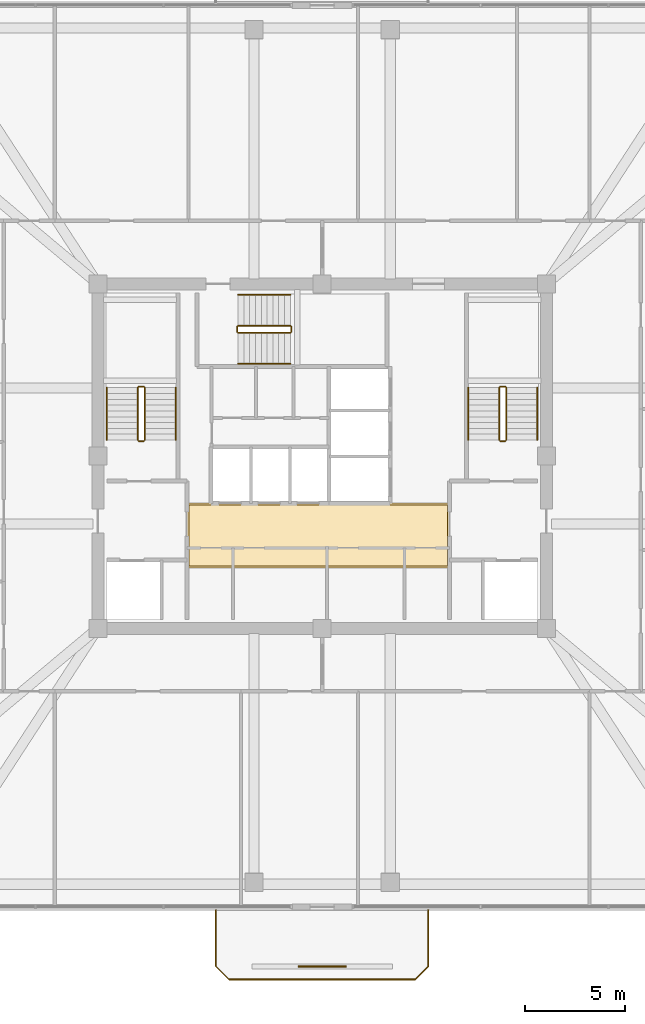
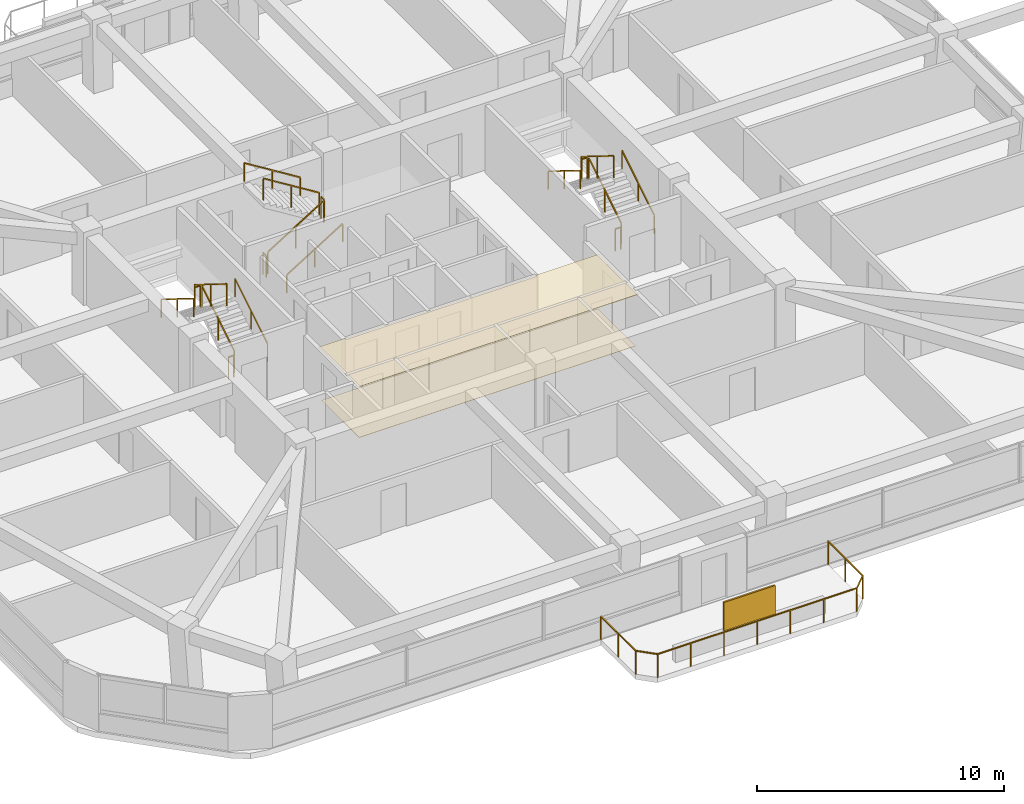
# One storey, part 12 of 13: 19 railings, 2 coverings, 1 shading device.
"""IFC4 building model written with IfcOpenShell, lengths in metres."""

from ifc_helpers import new_model, si_unit, derived_unit, direction, frame, origin, origin_2d, place, context, subcontext, project, spatial, polyline, rectangle, outline, extrude, material, layer, layer_set, type_object, element, save


model = new_model("IFC4")

# Units and contexts
model_context = context("Model", 3, precision=1e-05, world=origin(), true_north=direction((0.0, 1.0)))
body_context = subcontext(model_context, "Body", "Model", "MODEL_VIEW")
ifc_project = project(units=[si_unit("LENGTHUNIT", "METRE"), si_unit("AREAUNIT", "SQUARE_METRE"), si_unit("VOLUMEUNIT", "CUBIC_METRE"), si_unit("PLANEANGLEUNIT", "RADIAN"), si_unit("MASSUNIT", "GRAM", prefix="KILO"), derived_unit("THERMALTRANSMITTANCEUNIT", [(si_unit("POWERUNIT", "WATT"), 1), (si_unit("LENGTHUNIT", "METRE"), -2), (si_unit("THERMODYNAMICTEMPERATUREUNIT", "KELVIN"), -1)])], contexts=[model_context])

# Site, building, storey
site_placement = place(None, origin())
site = spatial("IfcSite", under=ifc_project, at=site_placement, CompositionType="ELEMENT")
building_placement = place(site_placement, origin())
building = spatial("IfcBuilding", under=site, at=building_placement, Name="Koralith Skygarden Medical Center", CompositionType="ELEMENT")
storey_placement = place(building_placement, frame((0.0, 0.0, 217.97998046875)))
storey = spatial("IfcBuildingStorey", under=building, at=storey_placement, Name="L56", CompositionType="ELEMENT", Elevation=217.97998046875)

# Covering
ifc_material_1 = material(Name="Acoustic Mineral Tile")
ifc_layer_1 = layer(ifc_material_1, 0.02001953125)
ifc_layer_set_1 = layer_set([ifc_layer_1], Name="Acoustic Mineral Tile")
covering_type_1 = type_object("IfcCoveringType", Name="Acoustic Hygienic Mineral Ceiling 20", PredefinedType="CEILING", material=ifc_layer_set_1)
covering_1_placement = place(storey_placement, frame((0.0, 0.0, 2.5849609375)))
element("IfcCovering", 1, at=covering_1_placement, inside=storey, type_object=covering_type_1, Name="L56 Core Lobby Acoustic Ceiling", PredefinedType="CEILING", context=body_context, shape_type="SweptSolid", body=[
    extrude(outline(polyline([(30.25, 20.320068359375), (43.35009765625, 20.320068359375), (43.35009765625, 23.56005859375), (30.25, 23.56005859375), (30.25, 20.320068359375)])), origin(), (0.0, 0.0, 1.0), 0.02001953125),
])

# Railing
ifc_material_2 = material(Name="Steel ASTM A500 Grade C", Category="steel")
railing_type_1 = type_object("IfcRailingType", Name="Outdoor Terrace & Balcony Safety Guardrail 1180", PredefinedType="GUARDRAIL", material=ifc_material_2)
railing_1_placement = place(storey_placement, frame((31.699951171875, 3.215087890625, 0.0)))
element("IfcRailing", 2, at=railing_1_placement, inside=storey, type_object=railing_type_1, Name="L56 S Balcony Perimeter Guardrail", PredefinedType="GUARDRAIL", context=body_context, shape_type="SweptSolid", body=[
    extrude(rectangle(XDim=0.050048828125, YDim=0.050048828125, at=origin_2d()), frame((0.0, -0.001953125, 1.15478515625), z_axis=(0.0, -1.0, 0.0), x_axis=(1.0, 0.0, 0.0)), (0.0, 0.0, 1.0), 2.796142578125),
    extrude(rectangle(XDim=0.050048828125, YDim=0.050048828125, at=origin_2d()), frame((0.00146484375, -2.801513671875, 1.15478515625), z_axis=(0.707106781187, -0.707106781187, 0.0), x_axis=(0.707106781187, 0.707106781187, 0.0)), (0.0, 0.0, 1.0), 0.91552734375),
    extrude(rectangle(XDim=0.050048828125, YDim=0.050048828125, at=origin_2d()), frame((0.652099609375, -3.4501953125, 1.15478515625), z_axis=(1.0, 0.0, 0.0), x_axis=(0.0, 1.0, 0.0)), (0.0, 0.0, 1.0), 9.2958984375),
    extrude(rectangle(XDim=0.050048828125, YDim=0.050048828125, at=origin_2d()), frame((9.951416015625, -3.44873046875, 1.15478515625), z_axis=(0.707106781187, 0.707106781187, 0.0), x_axis=(-0.707106781187, 0.707106781187, 0.0)), (0.0, 0.0, 1.0), 0.91552734375),
    extrude(rectangle(XDim=0.050048828125, YDim=0.050048828125, at=origin_2d()), frame((10.60009765625, -2.798095703125, 1.15478515625), z_axis=(0.0, 1.0, 0.0), x_axis=(-1.0, 0.0, 0.0)), (0.0, 0.0, 1.0), 2.796142578125),
    extrude(rectangle(XDim=0.0419921875, YDim=0.0419921875, at=origin_2d()), origin(), (0.0, 0.0, 1.0), 1.1279296875),
    extrude(rectangle(XDim=0.0419921875, YDim=0.0419921875, at=origin_2d()), frame((0.0, -1.39990234375, 0.0)), (0.0, 0.0, 1.0), 1.1279296875),
    extrude(rectangle(XDim=0.0419921875, YDim=0.0419921875, at=origin_2d()), frame((0.0, -2.800048828125, 0.0)), (0.0, 0.0, 1.0), 1.1279296875),
    extrude(rectangle(XDim=0.0419921875, YDim=0.0419921875, at=origin_2d()), frame((0.650146484375, -3.4501953125, 0.0)), (0.0, 0.0, 1.0), 1.1279296875),
    extrude(rectangle(XDim=0.0419921875, YDim=0.0419921875, at=origin_2d()), frame((2.2001953125, -3.4501953125, 0.0)), (0.0, 0.0, 1.0), 1.1279296875),
    extrude(rectangle(XDim=0.0419921875, YDim=0.0419921875, at=origin_2d()), frame((3.75, -3.4501953125, 0.0)), (0.0, 0.0, 1.0), 1.1279296875),
    extrude(rectangle(XDim=0.0419921875, YDim=0.0419921875, at=origin_2d()), frame((5.300048828125, -3.4501953125, 0.0)), (0.0, 0.0, 1.0), 1.1279296875),
    extrude(rectangle(XDim=0.0419921875, YDim=0.0419921875, at=origin_2d()), frame((6.85009765625, -3.4501953125, 0.0)), (0.0, 0.0, 1.0), 1.1279296875),
    extrude(rectangle(XDim=0.0419921875, YDim=0.0419921875, at=origin_2d()), frame((8.39990234375, -3.4501953125, 0.0)), (0.0, 0.0, 1.0), 1.1279296875),
    extrude(rectangle(XDim=0.0419921875, YDim=0.0419921875, at=origin_2d()), frame((9.949951171875, -3.4501953125, 0.0)), (0.0, 0.0, 1.0), 1.1279296875),
    extrude(rectangle(XDim=0.0419921875, YDim=0.0419921875, at=origin_2d()), frame((10.60009765625, -2.800048828125, 0.0)), (0.0, 0.0, 1.0), 1.1279296875),
    extrude(rectangle(XDim=0.0419921875, YDim=0.0419921875, at=origin_2d()), frame((10.60009765625, -1.39990234375, 0.0)), (0.0, 0.0, 1.0), 1.1279296875),
    extrude(rectangle(XDim=0.0419921875, YDim=0.0419921875, at=origin_2d()), frame((10.60009765625, 0.0, 0.0)), (0.0, 0.0, 1.0), 1.1279296875),
])

# Shading device
ifc_material_3 = material(Name="Aluminium 6063-T6", Category="aluminium")
ifc_layer_2 = layer(ifc_material_3, 0.080078125)
ifc_layer_set_2 = layer_set([ifc_layer_2], Name="Aluminium 6063-T6")
shading_device_type = type_object("IfcShadingDeviceType", Name="Perforated Biophilic Balcony Trellis Screen", PredefinedType="USERDEFINED", material=ifc_layer_set_2)
shading_device_placement = place(storey_placement, frame((37.0, 0.4150390625, 0.719970703125), z_axis=(0.0, 0.0, 1.0), x_axis=(1.0, 0.0, 0.0)))
element("IfcShadingDevice", 3, at=shading_device_placement, inside=storey, type_object=shading_device_type, Name="L56 S Biophilic Balcony Trellis Screen", ObjectType="HURRICANE SCREEN", PredefinedType="USERDEFINED", context=body_context, shape_type="SweptSolid", body=[
    extrude(rectangle(XDim=2.39990234375, YDim=0.080078125, at=origin_2d()), origin(), (0.0, 0.0, 1.0), 1.39990234375),
])

# Covering
ifc_material_4 = material(Name="Medical Terrazzo Flooring")
ifc_layer_3 = layer(ifc_material_4, 0.014892578125)
ifc_layer_set_3 = layer_set([ifc_layer_3], Name="Medical Terrazzo Flooring")
covering_type_2 = type_object("IfcCoveringType", Name="Seamless Antimicrobial Terrazzo Flooring 15", PredefinedType="FLOORING", material=ifc_layer_set_3)
covering_2_placement = place(storey_placement, origin())
element("IfcCovering", 4, at=covering_2_placement, inside=storey, type_object=covering_type_2, Name="L56 Core Lobby Terrazzo Flooring", PredefinedType="FLOORING", context=body_context, shape_type="SweptSolid", body=[
    extrude(outline(polyline([(30.35009765625, 20.419921875), (43.25, 20.419921875), (43.25, 23.4599609375), (30.35009765625, 23.4599609375), (30.35009765625, 20.419921875)])), origin(), (0.0, 0.0, 1.0), 0.01513671875),
])

# Railings
railing_type_2 = type_object("IfcRailingType", Name="Stair Flight Tubular Handrail 920", PredefinedType="HANDRAIL", material=ifc_material_2)
railing_2_placement = place(storey_placement, frame((29.699951171875, 26.699951171875, 0.179931640625)))
element("IfcRailing", 5, at=railing_2_placement, inside=storey, type_object=railing_type_2, Name="L56 ST1 stair handrail 1", PredefinedType="HANDRAIL", context=body_context, shape_type="SweptSolid", body=[
    extrude(rectangle(XDim=0.050048828125, YDim=0.050048828125, at=origin_2d()), frame((0.0, 0.001708984375, 0.89599609375), z_axis=(0.0, 0.849632798774, 0.527374731332), x_axis=(-1.0, 0.0, 0.0)), (0.0, 0.0, 1.0), 3.068115234375),
    extrude(rectangle(XDim=0.0419921875, YDim=0.0419921875, at=origin_2d()), origin(), (0.0, 0.0, 1.0), 0.867919921875),
    extrude(rectangle(XDim=0.0419921875, YDim=0.0419921875, at=origin_2d()), frame((0.0, 1.30517578125, 0.81005859375)), (0.0, 0.0, 1.0), 0.867919921875),
    extrude(rectangle(XDim=0.0419921875, YDim=0.0419921875, at=origin_2d()), frame((0.0, 2.610107421875, 1.6201171875)), (0.0, 0.0, 1.0), 0.867919921875),
])
railing_3_placement = place(storey_placement, frame((26.25, 29.31005859375, 1.97998046875)))
element("IfcRailing", 6, at=railing_3_placement, inside=storey, type_object=railing_type_2, Name="L56 ST1 stair handrail 2", PredefinedType="HANDRAIL", context=body_context, shape_type="SweptSolid", body=[
    extrude(rectangle(XDim=0.050048828125, YDim=0.050048828125, at=origin_2d()), frame((0.0, -0.001708984375, 0.89599609375), z_axis=(0.0, -0.849632798774, 0.527374731332), x_axis=(1.0, 0.0, 0.0)), (0.0, 0.0, 1.0), 3.068115234375),
    extrude(rectangle(XDim=0.0419921875, YDim=0.0419921875, at=origin_2d()), origin(), (0.0, 0.0, 1.0), 0.867919921875),
    extrude(rectangle(XDim=0.0419921875, YDim=0.0419921875, at=origin_2d()), frame((0.0, -1.30517578125, 0.81005859375)), (0.0, 0.0, 1.0), 0.867919921875),
    extrude(rectangle(XDim=0.0419921875, YDim=0.0419921875, at=origin_2d()), frame((0.0, -2.610107421875, 1.6201171875)), (0.0, 0.0, 1.0), 0.867919921875),
])
railing_4_placement = place(storey_placement, frame((47.75, 26.699951171875, 0.179931640625)))
element("IfcRailing", 7, at=railing_4_placement, inside=storey, type_object=railing_type_2, Name="L56 ST2 stair handrail 1", PredefinedType="HANDRAIL", context=body_context, shape_type="SweptSolid", body=[
    extrude(rectangle(XDim=0.050048828125, YDim=0.050048828125, at=origin_2d()), frame((0.0, 0.001708984375, 0.89599609375), z_axis=(0.0, 0.849632798774, 0.527374731332), x_axis=(-1.0, 0.0, 0.0)), (0.0, 0.0, 1.0), 3.068115234375),
    extrude(rectangle(XDim=0.0419921875, YDim=0.0419921875, at=origin_2d()), origin(), (0.0, 0.0, 1.0), 0.867919921875),
    extrude(rectangle(XDim=0.0419921875, YDim=0.0419921875, at=origin_2d()), frame((0.0, 1.30517578125, 0.81005859375)), (0.0, 0.0, 1.0), 0.867919921875),
    extrude(rectangle(XDim=0.0419921875, YDim=0.0419921875, at=origin_2d()), frame((0.0, 2.610107421875, 1.6201171875)), (0.0, 0.0, 1.0), 0.867919921875),
])
railing_5_placement = place(storey_placement, frame((44.300048828125, 29.31005859375, 1.97998046875)))
element("IfcRailing", 8, at=railing_5_placement, inside=storey, type_object=railing_type_2, Name="L56 ST2 stair handrail 2", PredefinedType="HANDRAIL", context=body_context, shape_type="SweptSolid", body=[
    extrude(rectangle(XDim=0.050048828125, YDim=0.050048828125, at=origin_2d()), frame((0.0, -0.001708984375, 0.89599609375), z_axis=(0.0, -0.849632798774, 0.527374731332), x_axis=(1.0, 0.0, 0.0)), (0.0, 0.0, 1.0), 3.068115234375),
    extrude(rectangle(XDim=0.0419921875, YDim=0.0419921875, at=origin_2d()), origin(), (0.0, 0.0, 1.0), 0.867919921875),
    extrude(rectangle(XDim=0.0419921875, YDim=0.0419921875, at=origin_2d()), frame((0.0, -1.30517578125, 0.81005859375)), (0.0, 0.0, 1.0), 0.867919921875),
    extrude(rectangle(XDim=0.0419921875, YDim=0.0419921875, at=origin_2d()), frame((0.0, -2.610107421875, 1.6201171875)), (0.0, 0.0, 1.0), 0.867919921875),
])
railing_6_placement = place(storey_placement, frame((32.800048828125, 30.5, 0.179931640625)))
element("IfcRailing", 9, at=railing_6_placement, inside=storey, type_object=railing_type_2, Name="L56 ST3 stair handrail 1", PredefinedType="HANDRAIL", context=body_context, shape_type="SweptSolid", body=[
    extrude(rectangle(XDim=0.050048828125, YDim=0.050048828125, at=origin_2d()), frame((0.001708984375, 0.0, 0.89599609375), z_axis=(0.849610693518, 0.0, 0.52741034258), x_axis=(0.0, 1.0, 0.0)), (0.0, 0.0, 1.0), 3.06787109375),
    extrude(rectangle(XDim=0.0419921875, YDim=0.0419921875, at=origin_2d()), origin(), (0.0, 0.0, 1.0), 0.867919921875),
    extrude(rectangle(XDim=0.0419921875, YDim=0.0419921875, at=origin_2d()), frame((1.304931640625, 0.0, 0.81005859375)), (0.0, 0.0, 1.0), 0.867919921875),
    extrude(rectangle(XDim=0.0419921875, YDim=0.0419921875, at=origin_2d()), frame((2.60986328125, 0.0, 1.6201171875)), (0.0, 0.0, 1.0), 0.867919921875),
])
railing_7_placement = place(storey_placement, frame((35.409912109375, 33.949951171875, 1.97998046875)))
element("IfcRailing", 10, at=railing_7_placement, inside=storey, type_object=railing_type_2, Name="L56 ST3 stair handrail 2", PredefinedType="HANDRAIL", context=body_context, shape_type="SweptSolid", body=[
    extrude(rectangle(XDim=0.050048828125, YDim=0.050048828125, at=origin_2d()), frame((-0.001708984375, 0.0, 0.89599609375), z_axis=(-0.849610693518, 0.0, 0.52741034258), x_axis=(0.0, -1.0, 0.0)), (0.0, 0.0, 1.0), 3.06787109375),
    extrude(rectangle(XDim=0.0419921875, YDim=0.0419921875, at=origin_2d()), origin(), (0.0, 0.0, 1.0), 0.867919921875),
    extrude(rectangle(XDim=0.0419921875, YDim=0.0419921875, at=origin_2d()), frame((-1.304931640625, 0.0, 0.81005859375)), (0.0, 0.0, 1.0), 0.867919921875),
    extrude(rectangle(XDim=0.0419921875, YDim=0.0419921875, at=origin_2d()), frame((-2.60986328125, 0.0, 1.6201171875)), (0.0, 0.0, 1.0), 0.867919921875),
])
railing_type_3 = type_object("IfcRailingType", Name="Stair Well Safety Guardrail 1100", PredefinedType="GUARDRAIL", material=ifc_material_2)
railing_8_placement = place(storey_placement, frame((28.14990234375, 26.699951171875, 0.179931640625)))
element("IfcRailing", 11, at=railing_8_placement, inside=storey, type_object=railing_type_3, Name="L56 ST1 stair guard 1", PredefinedType="GUARDRAIL", context=body_context, shape_type="SweptSolid", body=[
    extrude(rectangle(XDim=0.050048828125, YDim=0.050048828125, at=origin_2d()), frame((0.0, 0.001708984375, 1.076171875), z_axis=(0.0, 0.849632798774, 0.527374731332), x_axis=(-1.0, 0.0, 0.0)), (0.0, 0.0, 1.0), 3.068115234375),
    extrude(rectangle(XDim=0.0419921875, YDim=0.0419921875, at=origin_2d()), origin(), (0.0, 0.0, 1.0), 1.048095703125),
    extrude(rectangle(XDim=0.0419921875, YDim=0.0419921875, at=origin_2d()), frame((0.0, 1.30517578125, 0.81005859375)), (0.0, 0.0, 1.0), 1.048095703125),
    extrude(rectangle(XDim=0.0419921875, YDim=0.0419921875, at=origin_2d()), frame((0.0, 2.610107421875, 1.6201171875)), (0.0, 0.0, 1.0), 1.048095703125),
])
railing_9_placement = place(storey_placement, frame((28.10009765625, 29.360107421875, 1.800048828125)))
element("IfcRailing", 12, at=railing_9_placement, inside=storey, type_object=railing_type_3, Name="L56 ST1 stair guard 2", PredefinedType="GUARDRAIL", context=body_context, shape_type="SweptSolid", body=[
    extrude(rectangle(XDim=0.050048828125, YDim=0.050048828125, at=origin_2d()), frame((-0.001953125, 0.0, 1.0751953125), z_axis=(-1.0, 0.0, 0.0), x_axis=(0.0, -1.0, 0.0)), (0.0, 0.0, 1.0), 0.24609375),
    extrude(rectangle(XDim=0.0419921875, YDim=0.0419921875, at=origin_2d()), origin(), (0.0, 0.0, 1.0), 1.048095703125),
    extrude(rectangle(XDim=0.0419921875, YDim=0.0419921875, at=origin_2d()), frame((-0.25, 0.0, 0.0)), (0.0, 0.0, 1.0), 1.048095703125),
])
railing_10_placement = place(storey_placement, frame((27.800048828125, 29.31005859375, 1.97998046875)))
element("IfcRailing", 13, at=railing_10_placement, inside=storey, type_object=railing_type_3, Name="L56 ST1 stair guard 3", PredefinedType="GUARDRAIL", context=body_context, shape_type="SweptSolid", body=[
    extrude(rectangle(XDim=0.050048828125, YDim=0.050048828125, at=origin_2d()), frame((0.0, -0.001708984375, 1.076171875), z_axis=(0.0, -0.849632798774, 0.527374731332), x_axis=(1.0, 0.0, 0.0)), (0.0, 0.0, 1.0), 3.068115234375),
    extrude(rectangle(XDim=0.0419921875, YDim=0.0419921875, at=origin_2d()), origin(), (0.0, 0.0, 1.0), 1.048095703125),
    extrude(rectangle(XDim=0.0419921875, YDim=0.0419921875, at=origin_2d()), frame((0.0, -1.30517578125, 0.81005859375)), (0.0, 0.0, 1.0), 1.048095703125),
    extrude(rectangle(XDim=0.0419921875, YDim=0.0419921875, at=origin_2d()), frame((0.0, -2.610107421875, 1.6201171875)), (0.0, 0.0, 1.0), 1.048095703125),
])
railing_11_placement = place(storey_placement, frame((28.10009765625, 26.64990234375, 0.0)))
element("IfcRailing", 14, at=railing_11_placement, inside=storey, type_object=railing_type_3, Name="L56 ST1 stair guard 4", PredefinedType="GUARDRAIL", context=body_context, shape_type="SweptSolid", body=[
    extrude(rectangle(XDim=0.050048828125, YDim=0.050048828125, at=origin_2d()), frame((-0.001953125, 0.0, 1.0751953125), z_axis=(-1.0, 0.0, 0.0), x_axis=(0.0, -1.0, 0.0)), (0.0, 0.0, 1.0), 0.24609375),
    extrude(rectangle(XDim=0.0419921875, YDim=0.0419921875, at=origin_2d()), origin(), (0.0, 0.0, 1.0), 1.048095703125),
    extrude(rectangle(XDim=0.0419921875, YDim=0.0419921875, at=origin_2d()), frame((-0.25, 0.0, 0.0)), (0.0, 0.0, 1.0), 1.048095703125),
])
railing_12_placement = place(storey_placement, frame((46.199951171875, 26.699951171875, 0.179931640625)))
element("IfcRailing", 15, at=railing_12_placement, inside=storey, type_object=railing_type_3, Name="L56 ST2 stair guard 1", PredefinedType="GUARDRAIL", context=body_context, shape_type="SweptSolid", body=[
    extrude(rectangle(XDim=0.050048828125, YDim=0.050048828125, at=origin_2d()), frame((0.0, 0.001708984375, 1.076171875), z_axis=(0.0, 0.849632798774, 0.527374731332), x_axis=(-1.0, 0.0, 0.0)), (0.0, 0.0, 1.0), 3.068115234375),
    extrude(rectangle(XDim=0.0419921875, YDim=0.0419921875, at=origin_2d()), origin(), (0.0, 0.0, 1.0), 1.048095703125),
    extrude(rectangle(XDim=0.0419921875, YDim=0.0419921875, at=origin_2d()), frame((0.0, 1.30517578125, 0.81005859375)), (0.0, 0.0, 1.0), 1.048095703125),
    extrude(rectangle(XDim=0.0419921875, YDim=0.0419921875, at=origin_2d()), frame((0.0, 2.610107421875, 1.6201171875)), (0.0, 0.0, 1.0), 1.048095703125),
])
railing_13_placement = place(storey_placement, frame((46.14990234375, 29.360107421875, 1.800048828125)))
element("IfcRailing", 16, at=railing_13_placement, inside=storey, type_object=railing_type_3, Name="L56 ST2 stair guard 2", PredefinedType="GUARDRAIL", context=body_context, shape_type="SweptSolid", body=[
    extrude(rectangle(XDim=0.050048828125, YDim=0.050048828125, at=origin_2d()), frame((-0.001953125, 0.0, 1.0751953125), z_axis=(-1.0, 0.0, 0.0), x_axis=(0.0, -1.0, 0.0)), (0.0, 0.0, 1.0), 0.24609375),
    extrude(rectangle(XDim=0.0419921875, YDim=0.0419921875, at=origin_2d()), origin(), (0.0, 0.0, 1.0), 1.048095703125),
    extrude(rectangle(XDim=0.0419921875, YDim=0.0419921875, at=origin_2d()), frame((-0.25, 0.0, 0.0)), (0.0, 0.0, 1.0), 1.048095703125),
])
railing_14_placement = place(storey_placement, frame((45.85009765625, 29.31005859375, 1.97998046875)))
element("IfcRailing", 17, at=railing_14_placement, inside=storey, type_object=railing_type_3, Name="L56 ST2 stair guard 3", PredefinedType="GUARDRAIL", context=body_context, shape_type="SweptSolid", body=[
    extrude(rectangle(XDim=0.050048828125, YDim=0.050048828125, at=origin_2d()), frame((0.0, -0.001708984375, 1.076171875), z_axis=(0.0, -0.849632798774, 0.527374731332), x_axis=(1.0, 0.0, 0.0)), (0.0, 0.0, 1.0), 3.068115234375),
    extrude(rectangle(XDim=0.0419921875, YDim=0.0419921875, at=origin_2d()), origin(), (0.0, 0.0, 1.0), 1.048095703125),
    extrude(rectangle(XDim=0.0419921875, YDim=0.0419921875, at=origin_2d()), frame((0.0, -1.30517578125, 0.81005859375)), (0.0, 0.0, 1.0), 1.048095703125),
    extrude(rectangle(XDim=0.0419921875, YDim=0.0419921875, at=origin_2d()), frame((0.0, -2.610107421875, 1.6201171875)), (0.0, 0.0, 1.0), 1.048095703125),
])
railing_15_placement = place(storey_placement, frame((46.14990234375, 26.64990234375, 0.0)))
element("IfcRailing", 18, at=railing_15_placement, inside=storey, type_object=railing_type_3, Name="L56 ST2 stair guard 4", PredefinedType="GUARDRAIL", context=body_context, shape_type="SweptSolid", body=[
    extrude(rectangle(XDim=0.050048828125, YDim=0.050048828125, at=origin_2d()), frame((-0.001953125, 0.0, 1.0751953125), z_axis=(-1.0, 0.0, 0.0), x_axis=(0.0, -1.0, 0.0)), (0.0, 0.0, 1.0), 0.24609375),
    extrude(rectangle(XDim=0.0419921875, YDim=0.0419921875, at=origin_2d()), origin(), (0.0, 0.0, 1.0), 1.048095703125),
    extrude(rectangle(XDim=0.0419921875, YDim=0.0419921875, at=origin_2d()), frame((-0.25, 0.0, 0.0)), (0.0, 0.0, 1.0), 1.048095703125),
])
railing_16_placement = place(storey_placement, frame((32.800048828125, 32.050048828125, 0.179931640625)))
element("IfcRailing", 19, at=railing_16_placement, inside=storey, type_object=railing_type_3, Name="L56 ST3 stair guard 1", PredefinedType="GUARDRAIL", context=body_context, shape_type="SweptSolid", body=[
    extrude(rectangle(XDim=0.050048828125, YDim=0.050048828125, at=origin_2d()), frame((0.001708984375, 0.0, 1.076171875), z_axis=(0.849610693518, 0.0, 0.52741034258), x_axis=(0.0, 1.0, 0.0)), (0.0, 0.0, 1.0), 3.06787109375),
    extrude(rectangle(XDim=0.0419921875, YDim=0.0419921875, at=origin_2d()), origin(), (0.0, 0.0, 1.0), 1.048095703125),
    extrude(rectangle(XDim=0.0419921875, YDim=0.0419921875, at=origin_2d()), frame((1.304931640625, 0.0, 0.81005859375)), (0.0, 0.0, 1.0), 1.048095703125),
    extrude(rectangle(XDim=0.0419921875, YDim=0.0419921875, at=origin_2d()), frame((2.60986328125, 0.0, 1.6201171875)), (0.0, 0.0, 1.0), 1.048095703125),
])
railing_17_placement = place(storey_placement, frame((35.4599609375, 32.10009765625, 1.800048828125)))
element("IfcRailing", 20, at=railing_17_placement, inside=storey, type_object=railing_type_3, Name="L56 ST3 stair guard 2", PredefinedType="GUARDRAIL", context=body_context, shape_type="SweptSolid", body=[
    extrude(rectangle(XDim=0.050048828125, YDim=0.050048828125, at=origin_2d()), frame((0.0, 0.001953125, 1.0751953125), z_axis=(0.0, 1.0, 0.0), x_axis=(-1.0, 0.0, 0.0)), (0.0, 0.0, 1.0), 0.24609375),
    extrude(rectangle(XDim=0.0419921875, YDim=0.0419921875, at=origin_2d()), origin(), (0.0, 0.0, 1.0), 1.048095703125),
    extrude(rectangle(XDim=0.0419921875, YDim=0.0419921875, at=origin_2d()), frame((0.0, 0.25, 0.0)), (0.0, 0.0, 1.0), 1.048095703125),
])
railing_18_placement = place(storey_placement, frame((35.409912109375, 32.39990234375, 1.97998046875)))
element("IfcRailing", 21, at=railing_18_placement, inside=storey, type_object=railing_type_3, Name="L56 ST3 stair guard 3", PredefinedType="GUARDRAIL", context=body_context, shape_type="SweptSolid", body=[
    extrude(rectangle(XDim=0.050048828125, YDim=0.050048828125, at=origin_2d()), frame((-0.001708984375, 0.0, 1.076171875), z_axis=(-0.849610693518, 0.0, 0.52741034258), x_axis=(0.0, -1.0, 0.0)), (0.0, 0.0, 1.0), 3.06787109375),
    extrude(rectangle(XDim=0.0419921875, YDim=0.0419921875, at=origin_2d()), origin(), (0.0, 0.0, 1.0), 1.048095703125),
    extrude(rectangle(XDim=0.0419921875, YDim=0.0419921875, at=origin_2d()), frame((-1.304931640625, 0.0, 0.81005859375)), (0.0, 0.0, 1.0), 1.048095703125),
    extrude(rectangle(XDim=0.0419921875, YDim=0.0419921875, at=origin_2d()), frame((-2.60986328125, 0.0, 1.6201171875)), (0.0, 0.0, 1.0), 1.048095703125),
])
railing_19_placement = place(storey_placement, frame((32.75, 32.10009765625, 0.0)))
element("IfcRailing", 22, at=railing_19_placement, inside=storey, type_object=railing_type_3, Name="L56 ST3 stair guard 4", PredefinedType="GUARDRAIL", context=body_context, shape_type="SweptSolid", body=[
    extrude(rectangle(XDim=0.050048828125, YDim=0.050048828125, at=origin_2d()), frame((0.0, 0.001953125, 1.0751953125), z_axis=(0.0, 1.0, 0.0), x_axis=(-1.0, 0.0, 0.0)), (0.0, 0.0, 1.0), 0.24609375),
    extrude(rectangle(XDim=0.0419921875, YDim=0.0419921875, at=origin_2d()), origin(), (0.0, 0.0, 1.0), 1.048095703125),
    extrude(rectangle(XDim=0.0419921875, YDim=0.0419921875, at=origin_2d()), frame((0.0, 0.25, 0.0)), (0.0, 0.0, 1.0), 1.048095703125),
])

save(model, "model.ifc")
